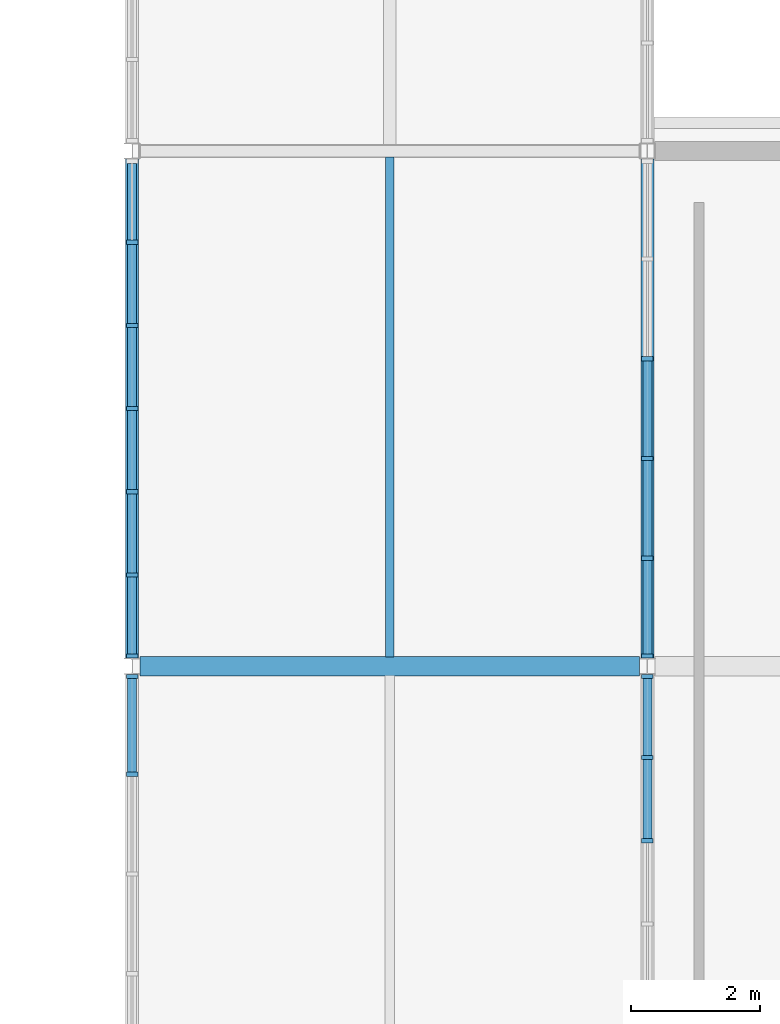
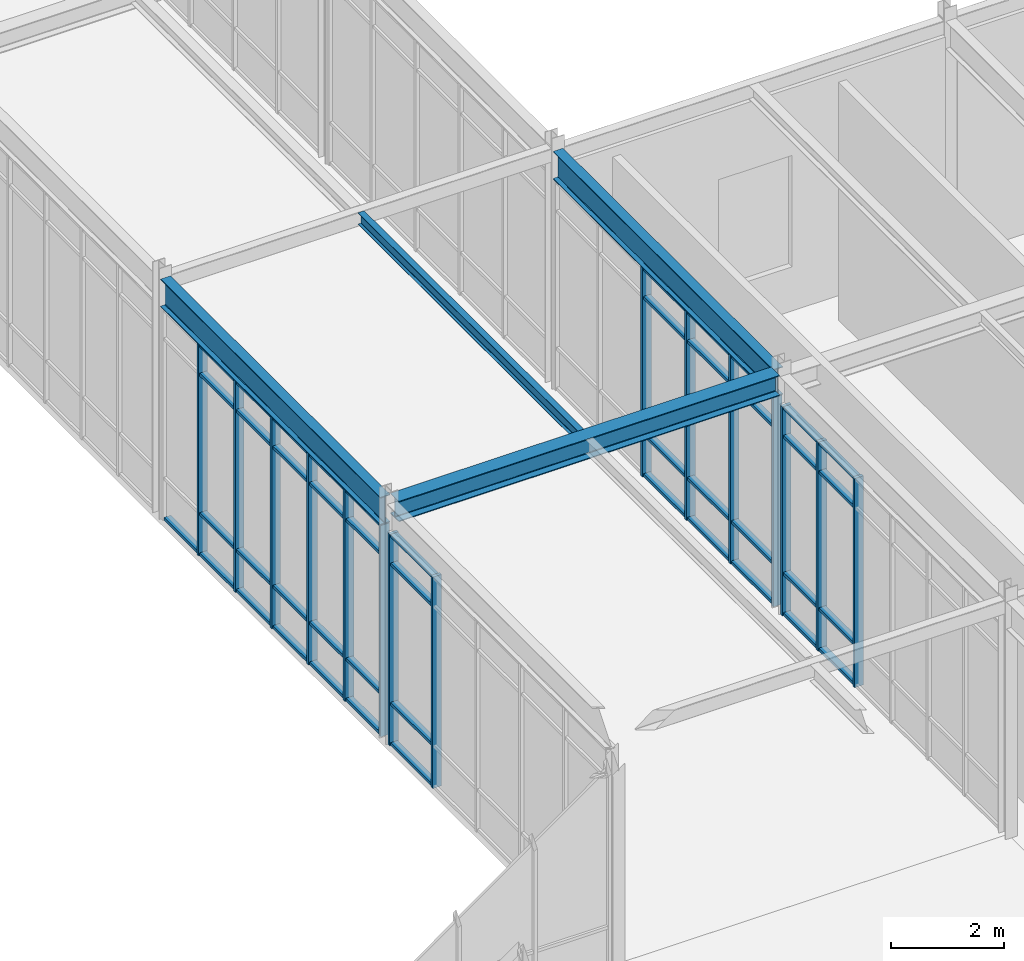
# One storey, part 57 of 184: 60 members, 4 beams, 4 elements without a shape of their own.
"""IFC4 building model written with IfcOpenShell, lengths in metres."""

from ifc_helpers import new_model, si_unit, direction, frame, origin, origin_2d, place, context, subcontext, project, spatial, rectangle, i_section, extrude, material, material_profile, profile_set, type_object, element, aggregate, save


model = new_model("IFC4")

# Units and contexts
model_context = context("Model", 3, precision=1e-05, world=origin(), true_north=direction((0.0, 1.0)))
body_context = subcontext(model_context, "Body", "Model", "MODEL_VIEW")
ifc_project = project(units=[si_unit("LENGTHUNIT", "METRE"), si_unit("AREAUNIT", "SQUARE_METRE"), si_unit("VOLUMEUNIT", "CUBIC_METRE"), si_unit("PLANEANGLEUNIT", "RADIAN"), si_unit("MASSUNIT", "GRAM", prefix="KILO")], contexts=[model_context])

# Site, building, storey
site_placement = place(None, origin())
site = spatial("IfcSite", under=ifc_project, at=site_placement, CompositionType="ELEMENT")
building_placement = place(site_placement, origin())
building = spatial("IfcBuilding", under=site, at=building_placement, Name="Zhaolan Boulevard Law Courts", CompositionType="ELEMENT")
storey_placement = place(building_placement, frame((0.0, 0.0, 5.39990234375)))
storey = spatial("IfcBuildingStorey", under=building, at=storey_placement, Name="L01", CompositionType="ELEMENT", Elevation=5.39990234375)

# Curtain wall, members
ifc_material_1 = material(Name="Thermally broken aluminium and low-E glazing", Category="aluminium")
curtain_wall_type_1 = type_object("IfcCurtainWallType", Name="CURTAIN WALL M2", PredefinedType="USERDEFINED", material=ifc_material_1)
curtain_wall_1_placement = place(storey_placement, origin())
curtain_wall_1 = element("IfcCurtainWall", 1, at=curtain_wall_1_placement, inside=storey, type_object=curtain_wall_type_1, Name="Curtain Wall CW-L01-074", ObjectType="CURTAIN WALL", PredefinedType="USERDEFINED")
ifc_material_2 = material(Name="Fluorocarbon-coated aluminium 6063-T6", Category="aluminium")
ifc_material_profile_1 = material_profile(ifc_material_2, rectangle(XDim=0.179931640625, YDim=0.06494140625, at=origin_2d()), Name="AL65x180")
ifc_profile_set_1 = profile_set([ifc_material_profile_1], Name="Fluorocarbon-coated aluminium 6063-T6")
member_type_1 = type_object("IfcMemberType", Name="CWMULLION 65X180", PredefinedType="MULLION", material=ifc_profile_set_1)
member_1_placement = place(storey_placement, frame((116.0, 37.840576171875, 0.0), z_axis=(0.0, 0.0, 1.0), x_axis=(1.0, 0.0, 0.0)))
member_1 = element("IfcMember", 2, at=member_1_placement, type_object=member_type_1, Name="CW-L01-074 mullion 1", PredefinedType="MULLION", context=body_context, shape_type="SweptSolid", body=[
    extrude(rectangle(XDim=0.179931640625, YDim=0.06494140625, at=origin_2d()), origin(), (0.0, 0.0, 1.0), 4.552978515625),
])
member_2_placement = place(storey_placement, frame((116.0, 36.32373046875, 0.0), z_axis=(0.0, 0.0, 1.0), x_axis=(1.0, 0.0, 0.0)))
member_2 = element("IfcMember", 3, at=member_2_placement, type_object=member_type_1, Name="CW-L01-074 mullion 2", PredefinedType="MULLION", context=body_context, shape_type="SweptSolid", body=[
    extrude(rectangle(XDim=0.179931640625, YDim=0.06494140625, at=origin_2d()), origin(), (0.0, 0.0, 1.0), 4.552978515625),
])

ifc_material_3 = material(Name="Thermally broken aluminium and low-E glazing", Category="aluminium")
curtain_wall_type_2 = type_object("IfcCurtainWallType", Name="CURTAIN WALL M3", PredefinedType="USERDEFINED", material=ifc_material_3)
curtain_wall_2_placement = place(storey_placement, origin())
curtain_wall_2 = element("IfcCurtainWall", 4, at=curtain_wall_2_placement, inside=storey, type_object=curtain_wall_type_2, Name="Curtain Wall CW-L01-075", ObjectType="CURTAIN WALL", PredefinedType="USERDEFINED")
member_3_placement = place(storey_placement, frame((116.0, 44.58203125, 0.0), z_axis=(0.0, 0.0, 1.0), x_axis=(1.0, 0.0, 0.0)))
member_3 = element("IfcMember", 5, at=member_3_placement, type_object=member_type_1, Name="CW-L01-075 mullion 2", PredefinedType="MULLION", context=body_context, shape_type="SweptSolid", body=[
    extrude(rectangle(XDim=0.179931640625, YDim=0.06494140625, at=origin_2d()), origin(), (0.0, 0.0, 1.0), 4.552978515625),
])
member_4_placement = place(storey_placement, frame((116.0, 43.291015625, 0.0), z_axis=(0.0, 0.0, 1.0), x_axis=(1.0, 0.0, 0.0)))
member_4 = element("IfcMember", 6, at=member_4_placement, type_object=member_type_1, Name="CW-L01-075 mullion 3", PredefinedType="MULLION", context=body_context, shape_type="SweptSolid", body=[
    extrude(rectangle(XDim=0.179931640625, YDim=0.06494140625, at=origin_2d()), origin(), (0.0, 0.0, 1.0), 4.552978515625),
])
member_5_placement = place(storey_placement, frame((116.0, 42.0, 0.0), z_axis=(0.0, 0.0, 1.0), x_axis=(1.0, 0.0, 0.0)))
member_5 = element("IfcMember", 7, at=member_5_placement, type_object=member_type_1, Name="CW-L01-075 mullion 4", PredefinedType="MULLION", context=body_context, shape_type="SweptSolid", body=[
    extrude(rectangle(XDim=0.179931640625, YDim=0.06494140625, at=origin_2d()), origin(), (0.0, 0.0, 1.0), 4.552978515625),
])
member_6_placement = place(storey_placement, frame((116.0, 40.708984375, 0.0), z_axis=(0.0, 0.0, 1.0), x_axis=(1.0, 0.0, 0.0)))
member_6 = element("IfcMember", 8, at=member_6_placement, type_object=member_type_1, Name="CW-L01-075 mullion 5", PredefinedType="MULLION", context=body_context, shape_type="SweptSolid", body=[
    extrude(rectangle(XDim=0.179931640625, YDim=0.06494140625, at=origin_2d()), origin(), (0.0, 0.0, 1.0), 4.552978515625),
])
member_7_placement = place(storey_placement, frame((116.0, 39.41796875, 0.0), z_axis=(0.0, 0.0, 1.0), x_axis=(1.0, 0.0, 0.0)))
member_7 = element("IfcMember", 9, at=member_7_placement, type_object=member_type_1, Name="CW-L01-075 mullion 6", PredefinedType="MULLION", context=body_context, shape_type="SweptSolid", body=[
    extrude(rectangle(XDim=0.179931640625, YDim=0.06494140625, at=origin_2d()), origin(), (0.0, 0.0, 1.0), 4.552978515625),
])
member_8_placement = place(storey_placement, frame((116.0, 38.159423828125, 0.0), z_axis=(0.0, 0.0, 1.0), x_axis=(1.0, 0.0, 0.0)))
member_8 = element("IfcMember", 10, at=member_8_placement, type_object=member_type_1, Name="CW-L01-075 mullion 7", PredefinedType="MULLION", context=body_context, shape_type="SweptSolid", body=[
    extrude(rectangle(XDim=0.179931640625, YDim=0.06494140625, at=origin_2d()), origin(), (0.0, 0.0, 1.0), 4.552978515625),
])

ifc_material_4 = material(Name="Thermally broken aluminium and low-E glazing", Category="aluminium")
curtain_wall_type_3 = type_object("IfcCurtainWallType", Name="CURTAIN WALL M6", PredefinedType="USERDEFINED", material=ifc_material_4)
curtain_wall_3_placement = place(storey_placement, origin())
curtain_wall_3 = element("IfcCurtainWall", 11, at=curtain_wall_3_placement, inside=storey, type_object=curtain_wall_type_3, Name="Curtain Wall CW-L01-078", ObjectType="CURTAIN WALL", PredefinedType="USERDEFINED")
member_9_placement = place(storey_placement, frame((124.0, 35.291015625, 0.0), z_axis=(0.0, 0.0, 1.0), x_axis=(-1.0, 0.0, 0.0)))
member_9 = element("IfcMember", 12, at=member_9_placement, type_object=member_type_1, Name="CW-L01-078 mullion 5", PredefinedType="MULLION", context=body_context, shape_type="SweptSolid", body=[
    extrude(rectangle(XDim=0.179931640625, YDim=0.06494140625, at=origin_2d()), origin(), (0.0, 0.0, 1.0), 4.503173828125),
])
member_10_placement = place(storey_placement, frame((124.0, 36.58203125, 0.0), z_axis=(0.0, 0.0, 1.0), x_axis=(-1.0, 0.0, 0.0)))
member_10 = element("IfcMember", 13, at=member_10_placement, type_object=member_type_1, Name="CW-L01-078 mullion 6", PredefinedType="MULLION", context=body_context, shape_type="SweptSolid", body=[
    extrude(rectangle(XDim=0.179931640625, YDim=0.06494140625, at=origin_2d()), origin(), (0.0, 0.0, 1.0), 4.503173828125),
])
member_11_placement = place(storey_placement, frame((124.0, 37.840576171875, 0.0), z_axis=(0.0, 0.0, 1.0), x_axis=(-1.0, 0.0, 0.0)))
member_11 = element("IfcMember", 14, at=member_11_placement, type_object=member_type_1, Name="CW-L01-078 mullion 7", PredefinedType="MULLION", context=body_context, shape_type="SweptSolid", body=[
    extrude(rectangle(XDim=0.179931640625, YDim=0.06494140625, at=origin_2d()), origin(), (0.0, 0.0, 1.0), 4.503173828125),
])

ifc_material_5 = material(Name="Thermally broken aluminium and low-E glazing", Category="aluminium")
curtain_wall_type_4 = type_object("IfcCurtainWallType", Name="CURTAIN WALL M7", PredefinedType="USERDEFINED", material=ifc_material_5)
curtain_wall_4_placement = place(storey_placement, origin())
curtain_wall_4 = element("IfcCurtainWall", 15, at=curtain_wall_4_placement, inside=storey, type_object=curtain_wall_type_4, Name="Curtain Wall CW-L01-079", ObjectType="CURTAIN WALL", PredefinedType="USERDEFINED")
member_12_placement = place(storey_placement, frame((124.0, 38.159423828125, 0.0), z_axis=(0.0, 0.0, 1.0), x_axis=(-1.0, 0.0, 0.0)))
member_12 = element("IfcMember", 16, at=member_12_placement, type_object=member_type_1, Name="CW-L01-079 mullion 1", PredefinedType="MULLION", context=body_context, shape_type="SweptSolid", body=[
    extrude(rectangle(XDim=0.179931640625, YDim=0.06494140625, at=origin_2d()), origin(), (0.0, 0.0, 1.0), 4.503173828125),
])
member_13_placement = place(storey_placement, frame((124.0, 39.67626953125, 0.0), z_axis=(0.0, 0.0, 1.0), x_axis=(-1.0, 0.0, 0.0)))
member_13 = element("IfcMember", 17, at=member_13_placement, type_object=member_type_1, Name="CW-L01-079 mullion 2", PredefinedType="MULLION", context=body_context, shape_type="SweptSolid", body=[
    extrude(rectangle(XDim=0.179931640625, YDim=0.06494140625, at=origin_2d()), origin(), (0.0, 0.0, 1.0), 4.503173828125),
])
member_14_placement = place(storey_placement, frame((124.0, 41.225341796875, 0.0), z_axis=(0.0, 0.0, 1.0), x_axis=(-1.0, 0.0, 0.0)))
member_14 = element("IfcMember", 18, at=member_14_placement, type_object=member_type_1, Name="CW-L01-079 mullion 3", PredefinedType="MULLION", context=body_context, shape_type="SweptSolid", body=[
    extrude(rectangle(XDim=0.179931640625, YDim=0.06494140625, at=origin_2d()), origin(), (0.0, 0.0, 1.0), 4.503173828125),
])
member_15_placement = place(storey_placement, frame((124.0, 42.774658203125, 0.0), z_axis=(0.0, 0.0, 1.0), x_axis=(-1.0, 0.0, 0.0)))
member_15 = element("IfcMember", 19, at=member_15_placement, type_object=member_type_1, Name="CW-L01-079 mullion 4", PredefinedType="MULLION", context=body_context, shape_type="SweptSolid", body=[
    extrude(rectangle(XDim=0.179931640625, YDim=0.06494140625, at=origin_2d()), origin(), (0.0, 0.0, 1.0), 4.503173828125),
])

# Member
ifc_material_6 = material(Name="Fluorocarbon-coated aluminium 6063-T6", Category="aluminium")
ifc_material_profile_2 = material_profile(ifc_material_6, rectangle(XDim=0.139892578125, YDim=0.06494140625, at=origin_2d()), Name="AL65x140")
ifc_profile_set_2 = profile_set([ifc_material_profile_2], Name="Fluorocarbon-coated aluminium 6063-T6")
member_type_2 = type_object("IfcMemberType", Name="CWTRANSOM 65X140", PredefinedType="USERDEFINED", material=ifc_profile_set_2)
member_16_placement = place(storey_placement, frame((116.0, 37.80810546875, 0.03271484375), z_axis=(0.0, -1.0, 0.0), x_axis=(1.0, 0.0, 0.0)))
member_16 = element("IfcMember", 20, at=member_16_placement, type_object=member_type_2, Name="CW-L01-074 transom 1.1", ObjectType="TRANSOM", PredefinedType="USERDEFINED", context=body_context, shape_type="SweptSolid", body=[
    extrude(rectangle(XDim=0.139892578125, YDim=0.06494140625, at=origin_2d()), origin(), (0.0, 0.0, 1.0), 1.451904296875),
])

member_17_placement = place(storey_placement, frame((116.0, 37.80810546875, 0.900146484375), z_axis=(0.0, -1.0, 0.0), x_axis=(1.0, 0.0, 0.0)))
member_17 = element("IfcMember", 21, at=member_17_placement, type_object=member_type_2, Name="CW-L01-074 transom 1.2", ObjectType="TRANSOM", PredefinedType="USERDEFINED", context=body_context, shape_type="SweptSolid", body=[
    extrude(rectangle(XDim=0.139892578125, YDim=0.06494140625, at=origin_2d()), origin(), (0.0, 0.0, 1.0), 1.451904296875),
])

member_18_placement = place(storey_placement, frame((116.0, 37.80810546875, 3.903076171875), z_axis=(0.0, -1.0, 0.0), x_axis=(1.0, 0.0, 0.0)))
member_18 = element("IfcMember", 22, at=member_18_placement, type_object=member_type_2, Name="CW-L01-074 transom 1.3", ObjectType="TRANSOM", PredefinedType="USERDEFINED", context=body_context, shape_type="SweptSolid", body=[
    extrude(rectangle(XDim=0.139892578125, YDim=0.06494140625, at=origin_2d()), origin(), (0.0, 0.0, 1.0), 1.451904296875),
])

member_19_placement = place(storey_placement, frame((116.0, 37.80810546875, 4.5205078125), z_axis=(0.0, -1.0, 0.0), x_axis=(1.0, 0.0, 0.0)))
member_19 = element("IfcMember", 23, at=member_19_placement, type_object=member_type_2, Name="CW-L01-074 transom 1.4", ObjectType="TRANSOM", PredefinedType="USERDEFINED", context=body_context, shape_type="SweptSolid", body=[
    extrude(rectangle(XDim=0.139892578125, YDim=0.06494140625, at=origin_2d()), origin(), (0.0, 0.0, 1.0), 1.451904296875),
])

aggregate(curtain_wall_1, [member_1, member_2, member_16, member_17, member_18, member_19])

member_20_placement = place(storey_placement, frame((116.0, 45.80810546875, 0.03271484375), z_axis=(0.0, -1.0, 0.0), x_axis=(1.0, 0.0, 0.0)))
member_20 = element("IfcMember", 24, at=member_20_placement, type_object=member_type_2, Name="CW-L01-075 transom 1.1", ObjectType="TRANSOM", PredefinedType="USERDEFINED", context=body_context, shape_type="SweptSolid", body=[
    extrude(rectangle(XDim=0.139892578125, YDim=0.06494140625, at=origin_2d()), origin(), (0.0, 0.0, 1.0), 1.193603515625),
])

member_21_placement = place(storey_placement, frame((116.0, 44.549560546875, 0.03271484375), z_axis=(0.0, -1.0, 0.0), x_axis=(1.0, 0.0, 0.0)))
member_21 = element("IfcMember", 25, at=member_21_placement, type_object=member_type_2, Name="CW-L01-075 transom 2.1", ObjectType="TRANSOM", PredefinedType="USERDEFINED", context=body_context, shape_type="SweptSolid", body=[
    extrude(rectangle(XDim=0.139892578125, YDim=0.06494140625, at=origin_2d()), origin(), (0.0, 0.0, 1.0), 1.22607421875),
])

member_22_placement = place(storey_placement, frame((116.0, 44.549560546875, 0.900146484375), z_axis=(0.0, -1.0, 0.0), x_axis=(1.0, 0.0, 0.0)))
member_22 = element("IfcMember", 26, at=member_22_placement, type_object=member_type_2, Name="CW-L01-075 transom 2.2", ObjectType="TRANSOM", PredefinedType="USERDEFINED", context=body_context, shape_type="SweptSolid", body=[
    extrude(rectangle(XDim=0.139892578125, YDim=0.06494140625, at=origin_2d()), origin(), (0.0, 0.0, 1.0), 1.22607421875),
])

member_23_placement = place(storey_placement, frame((116.0, 44.549560546875, 3.903076171875), z_axis=(0.0, -1.0, 0.0), x_axis=(1.0, 0.0, 0.0)))
member_23 = element("IfcMember", 27, at=member_23_placement, type_object=member_type_2, Name="CW-L01-075 transom 2.3", ObjectType="TRANSOM", PredefinedType="USERDEFINED", context=body_context, shape_type="SweptSolid", body=[
    extrude(rectangle(XDim=0.139892578125, YDim=0.06494140625, at=origin_2d()), origin(), (0.0, 0.0, 1.0), 1.22607421875),
])

member_24_placement = place(storey_placement, frame((116.0, 44.549560546875, 4.5205078125), z_axis=(0.0, -1.0, 0.0), x_axis=(1.0, 0.0, 0.0)))
member_24 = element("IfcMember", 28, at=member_24_placement, type_object=member_type_2, Name="CW-L01-075 transom 2.4", ObjectType="TRANSOM", PredefinedType="USERDEFINED", context=body_context, shape_type="SweptSolid", body=[
    extrude(rectangle(XDim=0.139892578125, YDim=0.06494140625, at=origin_2d()), origin(), (0.0, 0.0, 1.0), 1.22607421875),
])

member_25_placement = place(storey_placement, frame((116.0, 43.258544921875, 0.03271484375), z_axis=(0.0, -1.0, 0.0), x_axis=(1.0, 0.0, 0.0)))
member_25 = element("IfcMember", 29, at=member_25_placement, type_object=member_type_2, Name="CW-L01-075 transom 3.1", ObjectType="TRANSOM", PredefinedType="USERDEFINED", context=body_context, shape_type="SweptSolid", body=[
    extrude(rectangle(XDim=0.139892578125, YDim=0.06494140625, at=origin_2d()), origin(), (0.0, 0.0, 1.0), 1.22607421875),
])

member_26_placement = place(storey_placement, frame((116.0, 43.258544921875, 0.900146484375), z_axis=(0.0, -1.0, 0.0), x_axis=(1.0, 0.0, 0.0)))
member_26 = element("IfcMember", 30, at=member_26_placement, type_object=member_type_2, Name="CW-L01-075 transom 3.2", ObjectType="TRANSOM", PredefinedType="USERDEFINED", context=body_context, shape_type="SweptSolid", body=[
    extrude(rectangle(XDim=0.139892578125, YDim=0.06494140625, at=origin_2d()), origin(), (0.0, 0.0, 1.0), 1.22607421875),
])

member_27_placement = place(storey_placement, frame((116.0, 43.258544921875, 3.903076171875), z_axis=(0.0, -1.0, 0.0), x_axis=(1.0, 0.0, 0.0)))
member_27 = element("IfcMember", 31, at=member_27_placement, type_object=member_type_2, Name="CW-L01-075 transom 3.3", ObjectType="TRANSOM", PredefinedType="USERDEFINED", context=body_context, shape_type="SweptSolid", body=[
    extrude(rectangle(XDim=0.139892578125, YDim=0.06494140625, at=origin_2d()), origin(), (0.0, 0.0, 1.0), 1.22607421875),
])

member_28_placement = place(storey_placement, frame((116.0, 43.258544921875, 4.5205078125), z_axis=(0.0, -1.0, 0.0), x_axis=(1.0, 0.0, 0.0)))
member_28 = element("IfcMember", 32, at=member_28_placement, type_object=member_type_2, Name="CW-L01-075 transom 3.4", ObjectType="TRANSOM", PredefinedType="USERDEFINED", context=body_context, shape_type="SweptSolid", body=[
    extrude(rectangle(XDim=0.139892578125, YDim=0.06494140625, at=origin_2d()), origin(), (0.0, 0.0, 1.0), 1.22607421875),
])

member_29_placement = place(storey_placement, frame((116.0, 41.967529296875, 0.03271484375), z_axis=(0.0, -1.0, 0.0), x_axis=(1.0, 0.0, 0.0)))
member_29 = element("IfcMember", 33, at=member_29_placement, type_object=member_type_2, Name="CW-L01-075 transom 4.1", ObjectType="TRANSOM", PredefinedType="USERDEFINED", context=body_context, shape_type="SweptSolid", body=[
    extrude(rectangle(XDim=0.139892578125, YDim=0.06494140625, at=origin_2d()), origin(), (0.0, 0.0, 1.0), 1.22607421875),
])

member_30_placement = place(storey_placement, frame((116.0, 41.967529296875, 0.900146484375), z_axis=(0.0, -1.0, 0.0), x_axis=(1.0, 0.0, 0.0)))
member_30 = element("IfcMember", 34, at=member_30_placement, type_object=member_type_2, Name="CW-L01-075 transom 4.2", ObjectType="TRANSOM", PredefinedType="USERDEFINED", context=body_context, shape_type="SweptSolid", body=[
    extrude(rectangle(XDim=0.139892578125, YDim=0.06494140625, at=origin_2d()), origin(), (0.0, 0.0, 1.0), 1.22607421875),
])

member_31_placement = place(storey_placement, frame((116.0, 41.967529296875, 3.903076171875), z_axis=(0.0, -1.0, 0.0), x_axis=(1.0, 0.0, 0.0)))
member_31 = element("IfcMember", 35, at=member_31_placement, type_object=member_type_2, Name="CW-L01-075 transom 4.3", ObjectType="TRANSOM", PredefinedType="USERDEFINED", context=body_context, shape_type="SweptSolid", body=[
    extrude(rectangle(XDim=0.139892578125, YDim=0.06494140625, at=origin_2d()), origin(), (0.0, 0.0, 1.0), 1.22607421875),
])

member_32_placement = place(storey_placement, frame((116.0, 41.967529296875, 4.5205078125), z_axis=(0.0, -1.0, 0.0), x_axis=(1.0, 0.0, 0.0)))
member_32 = element("IfcMember", 36, at=member_32_placement, type_object=member_type_2, Name="CW-L01-075 transom 4.4", ObjectType="TRANSOM", PredefinedType="USERDEFINED", context=body_context, shape_type="SweptSolid", body=[
    extrude(rectangle(XDim=0.139892578125, YDim=0.06494140625, at=origin_2d()), origin(), (0.0, 0.0, 1.0), 1.22607421875),
])

member_33_placement = place(storey_placement, frame((116.0, 40.676513671875, 0.03271484375), z_axis=(0.0, -1.0, 0.0), x_axis=(1.0, 0.0, 0.0)))
member_33 = element("IfcMember", 37, at=member_33_placement, type_object=member_type_2, Name="CW-L01-075 transom 5.1", ObjectType="TRANSOM", PredefinedType="USERDEFINED", context=body_context, shape_type="SweptSolid", body=[
    extrude(rectangle(XDim=0.139892578125, YDim=0.06494140625, at=origin_2d()), origin(), (0.0, 0.0, 1.0), 1.22607421875),
])

member_34_placement = place(storey_placement, frame((116.0, 40.676513671875, 0.900146484375), z_axis=(0.0, -1.0, 0.0), x_axis=(1.0, 0.0, 0.0)))
member_34 = element("IfcMember", 38, at=member_34_placement, type_object=member_type_2, Name="CW-L01-075 transom 5.2", ObjectType="TRANSOM", PredefinedType="USERDEFINED", context=body_context, shape_type="SweptSolid", body=[
    extrude(rectangle(XDim=0.139892578125, YDim=0.06494140625, at=origin_2d()), origin(), (0.0, 0.0, 1.0), 1.22607421875),
])

member_35_placement = place(storey_placement, frame((116.0, 40.676513671875, 3.903076171875), z_axis=(0.0, -1.0, 0.0), x_axis=(1.0, 0.0, 0.0)))
member_35 = element("IfcMember", 39, at=member_35_placement, type_object=member_type_2, Name="CW-L01-075 transom 5.3", ObjectType="TRANSOM", PredefinedType="USERDEFINED", context=body_context, shape_type="SweptSolid", body=[
    extrude(rectangle(XDim=0.139892578125, YDim=0.06494140625, at=origin_2d()), origin(), (0.0, 0.0, 1.0), 1.22607421875),
])

member_36_placement = place(storey_placement, frame((116.0, 40.676513671875, 4.5205078125), z_axis=(0.0, -1.0, 0.0), x_axis=(1.0, 0.0, 0.0)))
member_36 = element("IfcMember", 40, at=member_36_placement, type_object=member_type_2, Name="CW-L01-075 transom 5.4", ObjectType="TRANSOM", PredefinedType="USERDEFINED", context=body_context, shape_type="SweptSolid", body=[
    extrude(rectangle(XDim=0.139892578125, YDim=0.06494140625, at=origin_2d()), origin(), (0.0, 0.0, 1.0), 1.22607421875),
])

member_37_placement = place(storey_placement, frame((116.0, 39.385498046875, 0.03271484375), z_axis=(0.0, -1.0, 0.0), x_axis=(1.0, 0.0, 0.0)))
member_37 = element("IfcMember", 41, at=member_37_placement, type_object=member_type_2, Name="CW-L01-075 transom 6.1", ObjectType="TRANSOM", PredefinedType="USERDEFINED", context=body_context, shape_type="SweptSolid", body=[
    extrude(rectangle(XDim=0.139892578125, YDim=0.06494140625, at=origin_2d()), origin(), (0.0, 0.0, 1.0), 1.193603515625),
])

member_38_placement = place(storey_placement, frame((116.0, 39.385498046875, 0.900146484375), z_axis=(0.0, -1.0, 0.0), x_axis=(1.0, 0.0, 0.0)))
member_38 = element("IfcMember", 42, at=member_38_placement, type_object=member_type_2, Name="CW-L01-075 transom 6.2", ObjectType="TRANSOM", PredefinedType="USERDEFINED", context=body_context, shape_type="SweptSolid", body=[
    extrude(rectangle(XDim=0.139892578125, YDim=0.06494140625, at=origin_2d()), origin(), (0.0, 0.0, 1.0), 1.193603515625),
])

member_39_placement = place(storey_placement, frame((116.0, 39.385498046875, 3.903076171875), z_axis=(0.0, -1.0, 0.0), x_axis=(1.0, 0.0, 0.0)))
member_39 = element("IfcMember", 43, at=member_39_placement, type_object=member_type_2, Name="CW-L01-075 transom 6.3", ObjectType="TRANSOM", PredefinedType="USERDEFINED", context=body_context, shape_type="SweptSolid", body=[
    extrude(rectangle(XDim=0.139892578125, YDim=0.06494140625, at=origin_2d()), origin(), (0.0, 0.0, 1.0), 1.193603515625),
])

member_40_placement = place(storey_placement, frame((116.0, 39.385498046875, 4.5205078125), z_axis=(0.0, -1.0, 0.0), x_axis=(1.0, 0.0, 0.0)))
member_40 = element("IfcMember", 44, at=member_40_placement, type_object=member_type_2, Name="CW-L01-075 transom 6.4", ObjectType="TRANSOM", PredefinedType="USERDEFINED", context=body_context, shape_type="SweptSolid", body=[
    extrude(rectangle(XDim=0.139892578125, YDim=0.06494140625, at=origin_2d()), origin(), (0.0, 0.0, 1.0), 1.193603515625),
])

aggregate(curtain_wall_2, [member_3, member_4, member_5, member_6, member_7, member_8, member_20, member_21, member_22, member_23, member_24, member_25, member_26, member_27, member_28, member_29, member_30, member_31, member_32, member_33, member_34, member_35, member_36, member_37, member_38, member_39, member_40])

member_41_placement = place(storey_placement, frame((124.0, 35.323486328125, 0.03271484375), z_axis=(0.0, 1.0, 0.0), x_axis=(-1.0, 0.0, 0.0)))
member_41 = element("IfcMember", 45, at=member_41_placement, type_object=member_type_2, Name="CW-L01-078 transom 5.1", ObjectType="TRANSOM", PredefinedType="USERDEFINED", context=body_context, shape_type="SweptSolid", body=[
    extrude(rectangle(XDim=0.139892578125, YDim=0.06494140625, at=origin_2d()), origin(), (0.0, 0.0, 1.0), 1.22607421875),
])

member_42_placement = place(storey_placement, frame((124.0, 35.323486328125, 0.900146484375), z_axis=(0.0, 1.0, 0.0), x_axis=(-1.0, 0.0, 0.0)))
member_42 = element("IfcMember", 46, at=member_42_placement, type_object=member_type_2, Name="CW-L01-078 transom 5.2", ObjectType="TRANSOM", PredefinedType="USERDEFINED", context=body_context, shape_type="SweptSolid", body=[
    extrude(rectangle(XDim=0.139892578125, YDim=0.06494140625, at=origin_2d()), origin(), (0.0, 0.0, 1.0), 1.22607421875),
])

member_43_placement = place(storey_placement, frame((124.0, 35.323486328125, 3.85302734375), z_axis=(0.0, 1.0, 0.0), x_axis=(-1.0, 0.0, 0.0)))
member_43 = element("IfcMember", 47, at=member_43_placement, type_object=member_type_2, Name="CW-L01-078 transom 5.3", ObjectType="TRANSOM", PredefinedType="USERDEFINED", context=body_context, shape_type="SweptSolid", body=[
    extrude(rectangle(XDim=0.139892578125, YDim=0.06494140625, at=origin_2d()), origin(), (0.0, 0.0, 1.0), 1.22607421875),
])

member_44_placement = place(storey_placement, frame((124.0, 35.323486328125, 4.470703125), z_axis=(0.0, 1.0, 0.0), x_axis=(-1.0, 0.0, 0.0)))
member_44 = element("IfcMember", 48, at=member_44_placement, type_object=member_type_2, Name="CW-L01-078 transom 5.4", ObjectType="TRANSOM", PredefinedType="USERDEFINED", context=body_context, shape_type="SweptSolid", body=[
    extrude(rectangle(XDim=0.139892578125, YDim=0.06494140625, at=origin_2d()), origin(), (0.0, 0.0, 1.0), 1.22607421875),
])

member_45_placement = place(storey_placement, frame((124.0, 36.614501953125, 0.03271484375), z_axis=(0.0, 1.0, 0.0), x_axis=(-1.0, 0.0, 0.0)))
member_45 = element("IfcMember", 49, at=member_45_placement, type_object=member_type_2, Name="CW-L01-078 transom 6.1", ObjectType="TRANSOM", PredefinedType="USERDEFINED", context=body_context, shape_type="SweptSolid", body=[
    extrude(rectangle(XDim=0.139892578125, YDim=0.06494140625, at=origin_2d()), origin(), (0.0, 0.0, 1.0), 1.193603515625),
])

member_46_placement = place(storey_placement, frame((124.0, 36.614501953125, 0.900146484375), z_axis=(0.0, 1.0, 0.0), x_axis=(-1.0, 0.0, 0.0)))
member_46 = element("IfcMember", 50, at=member_46_placement, type_object=member_type_2, Name="CW-L01-078 transom 6.2", ObjectType="TRANSOM", PredefinedType="USERDEFINED", context=body_context, shape_type="SweptSolid", body=[
    extrude(rectangle(XDim=0.139892578125, YDim=0.06494140625, at=origin_2d()), origin(), (0.0, 0.0, 1.0), 1.193603515625),
])

member_47_placement = place(storey_placement, frame((124.0, 36.614501953125, 3.85302734375), z_axis=(0.0, 1.0, 0.0), x_axis=(-1.0, 0.0, 0.0)))
member_47 = element("IfcMember", 51, at=member_47_placement, type_object=member_type_2, Name="CW-L01-078 transom 6.3", ObjectType="TRANSOM", PredefinedType="USERDEFINED", context=body_context, shape_type="SweptSolid", body=[
    extrude(rectangle(XDim=0.139892578125, YDim=0.06494140625, at=origin_2d()), origin(), (0.0, 0.0, 1.0), 1.193603515625),
])

member_48_placement = place(storey_placement, frame((124.0, 36.614501953125, 4.470703125), z_axis=(0.0, 1.0, 0.0), x_axis=(-1.0, 0.0, 0.0)))
member_48 = element("IfcMember", 52, at=member_48_placement, type_object=member_type_2, Name="CW-L01-078 transom 6.4", ObjectType="TRANSOM", PredefinedType="USERDEFINED", context=body_context, shape_type="SweptSolid", body=[
    extrude(rectangle(XDim=0.139892578125, YDim=0.06494140625, at=origin_2d()), origin(), (0.0, 0.0, 1.0), 1.193603515625),
])

aggregate(curtain_wall_3, [member_9, member_10, member_11, member_41, member_42, member_43, member_44, member_45, member_46, member_47, member_48])

member_49_placement = place(storey_placement, frame((124.0, 38.19189453125, 0.03271484375), z_axis=(0.0, 1.0, 0.0), x_axis=(-1.0, 0.0, 0.0)))
member_49 = element("IfcMember", 53, at=member_49_placement, type_object=member_type_2, Name="CW-L01-079 transom 1.1", ObjectType="TRANSOM", PredefinedType="USERDEFINED", context=body_context, shape_type="SweptSolid", body=[
    extrude(rectangle(XDim=0.139892578125, YDim=0.06494140625, at=origin_2d()), origin(), (0.0, 0.0, 1.0), 1.451904296875),
])

member_50_placement = place(storey_placement, frame((124.0, 38.19189453125, 0.900146484375), z_axis=(0.0, 1.0, 0.0), x_axis=(-1.0, 0.0, 0.0)))
member_50 = element("IfcMember", 54, at=member_50_placement, type_object=member_type_2, Name="CW-L01-079 transom 1.2", ObjectType="TRANSOM", PredefinedType="USERDEFINED", context=body_context, shape_type="SweptSolid", body=[
    extrude(rectangle(XDim=0.139892578125, YDim=0.06494140625, at=origin_2d()), origin(), (0.0, 0.0, 1.0), 1.451904296875),
])

member_51_placement = place(storey_placement, frame((124.0, 38.19189453125, 3.85302734375), z_axis=(0.0, 1.0, 0.0), x_axis=(-1.0, 0.0, 0.0)))
member_51 = element("IfcMember", 55, at=member_51_placement, type_object=member_type_2, Name="CW-L01-079 transom 1.3", ObjectType="TRANSOM", PredefinedType="USERDEFINED", context=body_context, shape_type="SweptSolid", body=[
    extrude(rectangle(XDim=0.139892578125, YDim=0.06494140625, at=origin_2d()), origin(), (0.0, 0.0, 1.0), 1.451904296875),
])

member_52_placement = place(storey_placement, frame((124.0, 38.19189453125, 4.470703125), z_axis=(0.0, 1.0, 0.0), x_axis=(-1.0, 0.0, 0.0)))
member_52 = element("IfcMember", 56, at=member_52_placement, type_object=member_type_2, Name="CW-L01-079 transom 1.4", ObjectType="TRANSOM", PredefinedType="USERDEFINED", context=body_context, shape_type="SweptSolid", body=[
    extrude(rectangle(XDim=0.139892578125, YDim=0.06494140625, at=origin_2d()), origin(), (0.0, 0.0, 1.0), 1.451904296875),
])

member_53_placement = place(storey_placement, frame((124.0, 39.708740234375, 0.03271484375), z_axis=(0.0, 1.0, 0.0), x_axis=(-1.0, 0.0, 0.0)))
member_53 = element("IfcMember", 57, at=member_53_placement, type_object=member_type_2, Name="CW-L01-079 transom 2.1", ObjectType="TRANSOM", PredefinedType="USERDEFINED", context=body_context, shape_type="SweptSolid", body=[
    extrude(rectangle(XDim=0.139892578125, YDim=0.06494140625, at=origin_2d()), origin(), (0.0, 0.0, 1.0), 1.484130859375),
])

member_54_placement = place(storey_placement, frame((124.0, 39.708740234375, 0.900146484375), z_axis=(0.0, 1.0, 0.0), x_axis=(-1.0, 0.0, 0.0)))
member_54 = element("IfcMember", 58, at=member_54_placement, type_object=member_type_2, Name="CW-L01-079 transom 2.2", ObjectType="TRANSOM", PredefinedType="USERDEFINED", context=body_context, shape_type="SweptSolid", body=[
    extrude(rectangle(XDim=0.139892578125, YDim=0.06494140625, at=origin_2d()), origin(), (0.0, 0.0, 1.0), 1.484130859375),
])

member_55_placement = place(storey_placement, frame((124.0, 39.708740234375, 3.85302734375), z_axis=(0.0, 1.0, 0.0), x_axis=(-1.0, 0.0, 0.0)))
member_55 = element("IfcMember", 59, at=member_55_placement, type_object=member_type_2, Name="CW-L01-079 transom 2.3", ObjectType="TRANSOM", PredefinedType="USERDEFINED", context=body_context, shape_type="SweptSolid", body=[
    extrude(rectangle(XDim=0.139892578125, YDim=0.06494140625, at=origin_2d()), origin(), (0.0, 0.0, 1.0), 1.484130859375),
])

member_56_placement = place(storey_placement, frame((124.0, 39.708740234375, 4.470703125), z_axis=(0.0, 1.0, 0.0), x_axis=(-1.0, 0.0, 0.0)))
member_56 = element("IfcMember", 60, at=member_56_placement, type_object=member_type_2, Name="CW-L01-079 transom 2.4", ObjectType="TRANSOM", PredefinedType="USERDEFINED", context=body_context, shape_type="SweptSolid", body=[
    extrude(rectangle(XDim=0.139892578125, YDim=0.06494140625, at=origin_2d()), origin(), (0.0, 0.0, 1.0), 1.484130859375),
])

member_57_placement = place(storey_placement, frame((124.0, 41.2578125, 0.03271484375), z_axis=(0.0, 1.0, 0.0), x_axis=(-1.0, 0.0, 0.0)))
member_57 = element("IfcMember", 61, at=member_57_placement, type_object=member_type_2, Name="CW-L01-079 transom 3.1", ObjectType="TRANSOM", PredefinedType="USERDEFINED", context=body_context, shape_type="SweptSolid", body=[
    extrude(rectangle(XDim=0.139892578125, YDim=0.06494140625, at=origin_2d()), origin(), (0.0, 0.0, 1.0), 1.484375),
])

member_58_placement = place(storey_placement, frame((124.0, 41.2578125, 0.900146484375), z_axis=(0.0, 1.0, 0.0), x_axis=(-1.0, 0.0, 0.0)))
member_58 = element("IfcMember", 62, at=member_58_placement, type_object=member_type_2, Name="CW-L01-079 transom 3.2", ObjectType="TRANSOM", PredefinedType="USERDEFINED", context=body_context, shape_type="SweptSolid", body=[
    extrude(rectangle(XDim=0.139892578125, YDim=0.06494140625, at=origin_2d()), origin(), (0.0, 0.0, 1.0), 1.484375),
])

member_59_placement = place(storey_placement, frame((124.0, 41.2578125, 3.85302734375), z_axis=(0.0, 1.0, 0.0), x_axis=(-1.0, 0.0, 0.0)))
member_59 = element("IfcMember", 63, at=member_59_placement, type_object=member_type_2, Name="CW-L01-079 transom 3.3", ObjectType="TRANSOM", PredefinedType="USERDEFINED", context=body_context, shape_type="SweptSolid", body=[
    extrude(rectangle(XDim=0.139892578125, YDim=0.06494140625, at=origin_2d()), origin(), (0.0, 0.0, 1.0), 1.484375),
])

member_60_placement = place(storey_placement, frame((124.0, 41.2578125, 4.470703125), z_axis=(0.0, 1.0, 0.0), x_axis=(-1.0, 0.0, 0.0)))
member_60 = element("IfcMember", 64, at=member_60_placement, type_object=member_type_2, Name="CW-L01-079 transom 3.4", ObjectType="TRANSOM", PredefinedType="USERDEFINED", context=body_context, shape_type="SweptSolid", body=[
    extrude(rectangle(XDim=0.139892578125, YDim=0.06494140625, at=origin_2d()), origin(), (0.0, 0.0, 1.0), 1.484375),
])

aggregate(curtain_wall_4, [member_12, member_13, member_14, member_15, member_49, member_50, member_51, member_52, member_53, member_54, member_55, member_56, member_57, member_58, member_59, member_60])

# Beams
ifc_material_7 = material(Name="Structural steel Q355B", Category="steel")
ifc_material_profile_3 = material_profile(ifc_material_7, i_section(OverallWidth=0.300048828125, OverallDepth=0.43994140625, WebThickness=0.010986328125, FlangeThickness=0.01806640625, FilletRadius=0.02001953125, at=origin_2d()), Name="HM440x300")
ifc_profile_set_3 = profile_set([ifc_material_profile_3], Name="Structural steel Q355B")
beam_type_1 = type_object("IfcBeamType", Name="GIRDER HM440", PredefinedType="BEAM", material=ifc_profile_set_3)
beam_1_placement = place(storey_placement, frame((116.12109375, 38.0, 4.947998046875), z_axis=(1.0, 0.0, 0.0), x_axis=(0.0, 1.0, 0.0)))
element("IfcBeam", 65, at=beam_1_placement, inside=storey, type_object=beam_type_1, Name="Beam BX-L02-15-16-F", PredefinedType="BEAM", context=body_context, shape_type="SweptSolid", body=[
    extrude(i_section(OverallWidth=0.300048828125, OverallDepth=0.43994140625, WebThickness=0.010986328125, FlangeThickness=0.01806640625, FilletRadius=0.02001953125, at=origin_2d()), origin(), (0.0, 0.0, 1.0), 7.7578125),
])
ifc_material_8 = material(Name="Structural steel Q355B", Category="steel")
ifc_material_profile_4 = material_profile(ifc_material_8, i_section(OverallWidth=0.199951171875, OverallDepth=0.60009765625, WebThickness=0.010986328125, FlangeThickness=0.01708984375, FilletRadius=0.02001953125, at=origin_2d()), Name="HN600x200")
ifc_profile_set_4 = profile_set([ifc_material_profile_4], Name="Structural steel Q355B")
beam_type_2 = type_object("IfcBeamType", Name="GIRDER HN600", PredefinedType="BEAM", material=ifc_profile_set_4)
for number, where, z_axis, x_axis, name in (
    (66, (116.0, 38.12109375, 4.8681640625), (0.0, 1.0, 0.0), (-1.0, 0.0, 0.0), "Beam BY-L02-15-F-G"),
    (67, (124.0, 38.12109375, 4.818115234375), (0.0, 1.0, 0.0), (-1.0, 0.0, 0.0), "Beam BY-L02-16-F-G"),
):
    element("IfcBeam", number, at=place(storey_placement, frame(where, z_axis=z_axis, x_axis=x_axis)), inside=storey, type_object=beam_type_2, Name=name, PredefinedType="BEAM", context=body_context, shape_type="SweptSolid", body=[
        extrude(i_section(OverallWidth=0.199951171875, OverallDepth=0.60009765625, WebThickness=0.010986328125, FlangeThickness=0.01708984375, FilletRadius=0.02001953125, at=origin_2d()), origin(), (0.0, 0.0, 1.0), 7.7578125),
    ])
ifc_material_9 = material(Name="Structural steel Q355B", Category="steel")
ifc_material_profile_5 = material_profile(ifc_material_9, i_section(OverallWidth=0.125, OverallDepth=0.25, WebThickness=0.006103515625, FlangeThickness=0.009033203125, FilletRadius=0.010009765625, at=origin_2d()), Name="HN250x125")
ifc_profile_set_5 = profile_set([ifc_material_profile_5], Name="Structural steel Q355B")
beam_type_3 = type_object("IfcBeamType", Name="JOIST HN250", PredefinedType="JOIST", material=ifc_profile_set_5)
beam_2_placement = place(storey_placement, frame((120.0, 38.14599609375, 5.043212890625), z_axis=(0.0, 1.0, 0.0), x_axis=(-1.0, 0.0, 0.0)))
element("IfcBeam", 68, at=beam_2_placement, inside=storey, type_object=beam_type_3, Name="Composite Joist J-L02-15F", PredefinedType="JOIST", context=body_context, shape_type="SweptSolid", body=[
    extrude(i_section(OverallWidth=0.125, OverallDepth=0.25, WebThickness=0.006103515625, FlangeThickness=0.009033203125, FilletRadius=0.010009765625, at=origin_2d()), origin(), (0.0, 0.0, 1.0), 7.758056640625),
])

save(model, "model.ifc")
